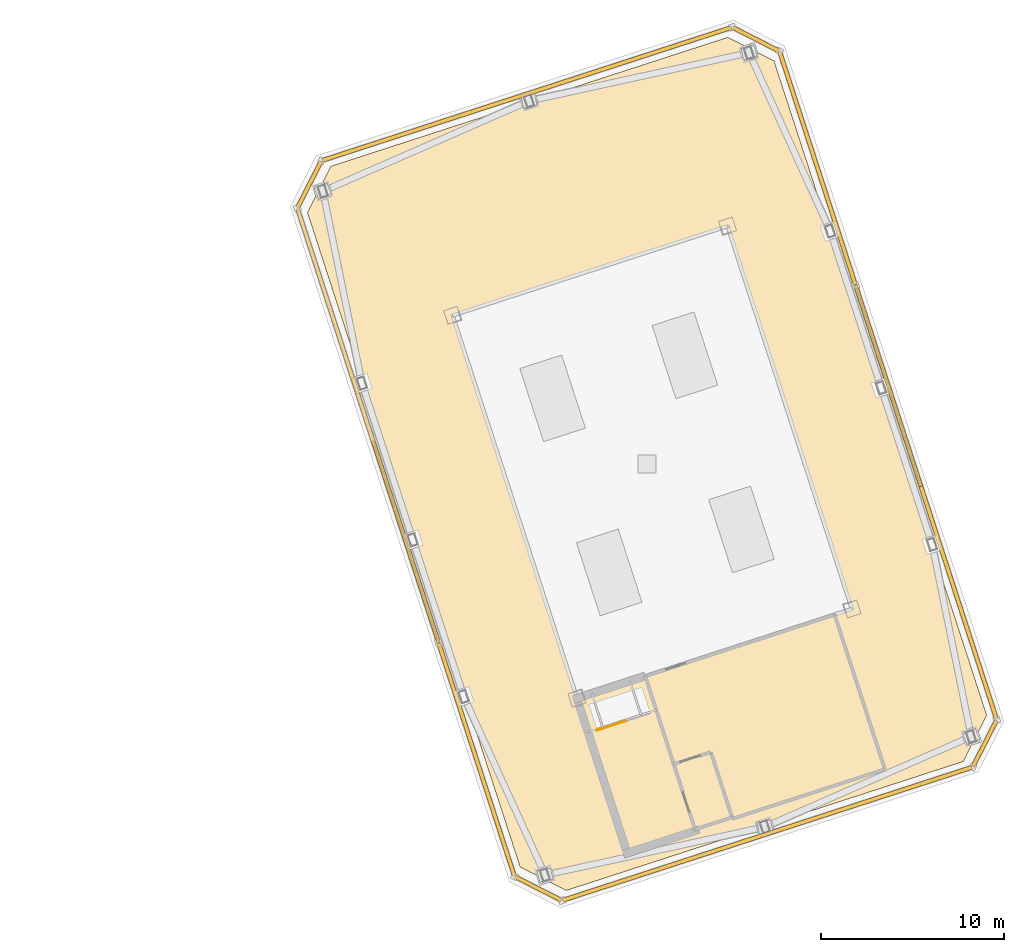
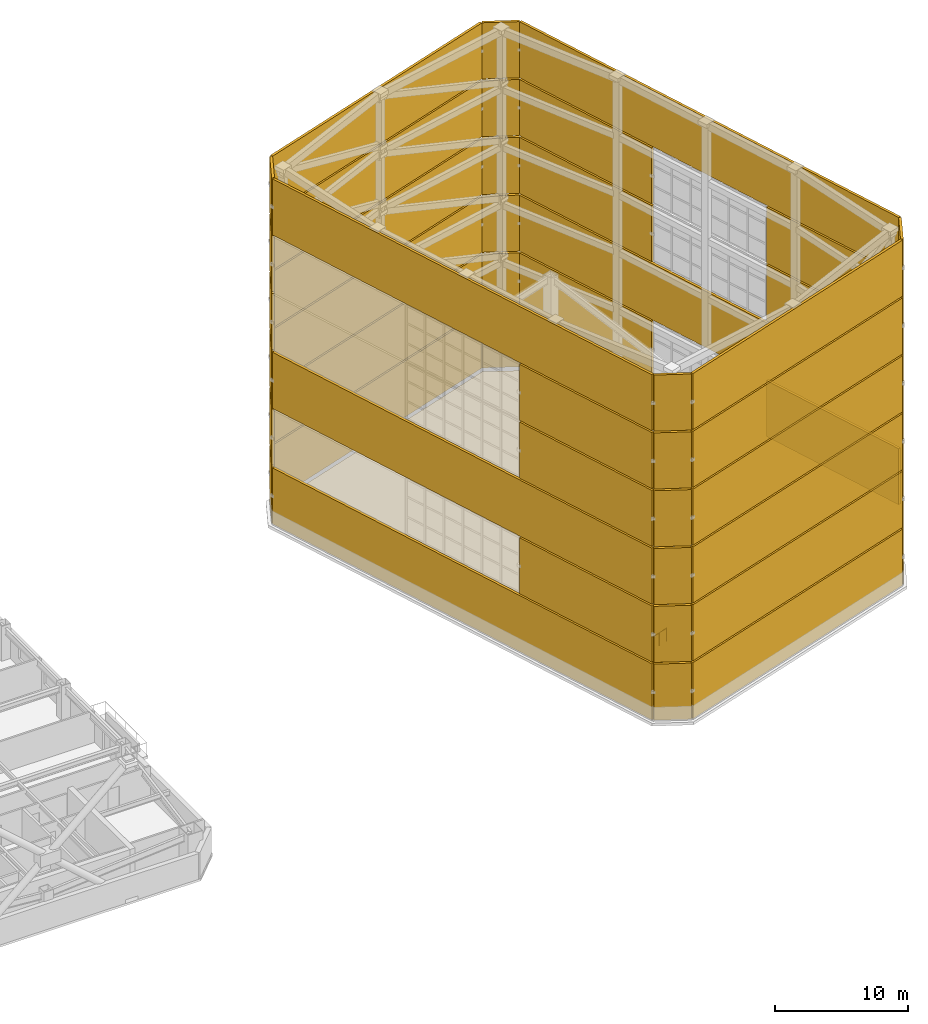
# One storey, part 56 of 56: 51 shading devices, 1 covering, 1 railing.
"""IFC4 building model written with IfcOpenShell, lengths in metres."""

from ifc_helpers import new_model, si_unit, direction, frame, origin, origin_2d, place, context, subcontext, project, spatial, polyline, rectangle, circle, outline, extrude, material, layer, layer_set, type_object, element, save


model = new_model("IFC4")

# Units and contexts
model_context = context("Model", 3, precision=1e-05, world=origin(), true_north=direction((0.0, 1.0)))
body_context = subcontext(model_context, "Body", "Model", "MODEL_VIEW")
ifc_project = project(units=[si_unit("LENGTHUNIT", "METRE"), si_unit("AREAUNIT", "SQUARE_METRE"), si_unit("VOLUMEUNIT", "CUBIC_METRE"), si_unit("PLANEANGLEUNIT", "RADIAN"), si_unit("MASSUNIT", "GRAM", prefix="KILO")], contexts=[model_context])

# Site, building, storey
site_placement = place(None, origin())
site = spatial("IfcSite", under=ifc_project, at=site_placement, CompositionType="ELEMENT")
building_placement = place(site_placement, origin())
building = spatial("IfcBuilding", under=site, at=building_placement, Name="Qiaolan Cultural Towers", CompositionType="ELEMENT")
storey_placement = place(building_placement, frame((0.0, 0.0, 250.39990234375)))
storey = spatial("IfcBuildingStorey", under=building, at=storey_placement, Name="L68", CompositionType="ELEMENT", Elevation=250.39990234375)

# Covering
ifc_material_1 = material(Name="TPO Waterproofing & Extruded Polystyrene Inverted Roof System", Category="bitumen")
ifc_layer_1 = layer(ifc_material_1, 0.080078125)
ifc_layer_set_1 = layer_set([ifc_layer_1], Name="TPO Waterproofing & Extruded Polystyrene Inverted Roof System")
covering_type = type_object("IfcCoveringType", Name="COV-ROOF-MEMB", PredefinedType="ROOFING", material=ifc_layer_set_1)
covering_placement = place(storey_placement, origin())
element("IfcCovering", 1, at=covering_placement, inside=storey, type_object=covering_type, Name="T2 Tower Main Roof Waterproofing Membrane", PredefinedType="ROOFING", context=body_context, shape_type="SweptSolid", body=[
    extrude(outline(polyline([(85.58544921875, 10.6953125), (107.26953125, 17.74072265625), (108.5537109375, 20.260986328125), (96.9345703125, 56.020751953125), (94.41455078125, 57.3046875), (72.73046875, 50.25927734375), (71.4462890625, 47.739013671875), (83.0654296875, 11.979248046875), (85.58544921875, 10.6953125)])), origin(), (0.0, 0.0, 1.0), 0.080078125),
])

# Railing
ifc_material_2 = material(Name="Galvanized Painted Steel Stair Guardrail", Category="steel")
railing_type = type_object("IfcRailingType", Name="RL-STAIR-GRD", PredefinedType="GUARDRAIL", material=ifc_material_2)
railing_placement = place(storey_placement, frame((87.2646484375, 19.442138671875, 0.0)))
element("IfcRailing", 2, at=railing_placement, inside=storey, type_object=railing_type, Name="L68 ST-E1 top well guard 1", PredefinedType="GUARDRAIL", context=body_context, shape_type="SweptSolid", body=[
    extrude(circle(Radius=0.02392578125, at=origin_2d()), frame((0.0, 0.0, 1.17578125), z_axis=(0.95105266372, 0.309028851132, 0.0), x_axis=(-0.309028851132, 0.95105266372, 0.0)), (0.0, 0.0, 1.0), 1.64013671875),
    extrude(circle(Radius=0.02099609375, at=origin_2d()), origin(), (0.0, 0.0, 1.0), 1.15185546875),
    extrude(circle(Radius=0.02099609375, at=origin_2d()), frame((0.77978515625, 0.25341796875, 0.0)), (0.0, 0.0, 1.0), 1.15185546875),
    extrude(circle(Radius=0.02099609375, at=origin_2d()), frame((1.559814453125, 0.5068359375, 0.0)), (0.0, 0.0, 1.0), 1.15185546875),
])

# Shading devices
ifc_material_3 = material(Name="Fluorocarbon Coated Aluminium Acoustic Storm Louvre", Category="aluminium")
ifc_layer_2 = layer(ifc_material_3, 0.179931640625)
ifc_layer_set_2 = layer_set([ifc_layer_2], Name="Fluorocarbon Coated Aluminium Acoustic Storm Louvre")
shading_device_type = type_object("IfcShadingDeviceType", Name="SHD-CRN-LOUVRE", PredefinedType="USERDEFINED", material=ifc_layer_set_2)
shading_device_1_placement = place(storey_placement, frame((96.566650390625, 13.7900390625, 0.080078125), z_axis=(0.0, 0.0, 1.0), x_axis=(0.951056505508, 0.309017027573, 0.0)))
element("IfcShadingDevice", 3, at=shading_device_1_placement, inside=storey, type_object=shading_device_type, Name="T2 Crown Tier 1 Acoustic Louvre Screen 1", ObjectType="LOUVRE", PredefinedType="USERDEFINED", context=body_context, shape_type="SweptSolid", body=[
    extrude(rectangle(XDim=23.52001953125, YDim=0.219970703125, at=origin_2d()), origin(), (0.0, 0.0, 1.0), 5.139892578125),
])
shading_device_2_placement = place(storey_placement, frame((108.447265625, 18.72802734375, 0.080078125), z_axis=(0.0, 0.0, 1.0), x_axis=(0.453990593046, 0.891006476647, 0.0)))
element("IfcShadingDevice", 4, at=shading_device_2_placement, inside=storey, type_object=shading_device_type, Name="T2 Crown Tier 1 Acoustic Louvre Screen 2", ObjectType="LOUVRE", PredefinedType="USERDEFINED", context=body_context, shape_type="SweptSolid", body=[
    extrude(rectangle(XDim=2.819091796875, YDim=0.219970703125, at=origin_2d()), origin(), (0.0, 0.0, 1.0), 5.139892578125),
])
shading_device_3_placement = place(storey_placement, frame((103.172119140625, 38.27978515625, 0.080078125), z_axis=(0.0, 0.0, 1.0), x_axis=(-0.309017010974, 0.951056510902, 0.0)))
element("IfcShadingDevice", 5, at=shading_device_3_placement, inside=storey, type_object=shading_device_type, Name="T2 Crown Tier 1 Acoustic Louvre Screen 3", ObjectType="LOUVRE", PredefinedType="USERDEFINED", context=body_context, shape_type="SweptSolid", body=[
    extrude(rectangle(XDim=38.320068359375, YDim=0.219970703125, at=origin_2d()), origin(), (0.0, 0.0, 1.0), 5.139892578125),
])
shading_device_4_placement = place(storey_placement, frame((95.947509765625, 57.1982421875, 0.080078125), z_axis=(0.0, 0.0, 1.0), x_axis=(-0.891006334021, 0.453990872963, 0.0)))
element("IfcShadingDevice", 6, at=shading_device_4_placement, inside=storey, type_object=shading_device_type, Name="T2 Crown Tier 1 Acoustic Louvre Screen 4", ObjectType="LOUVRE", PredefinedType="USERDEFINED", context=body_context, shape_type="SweptSolid", body=[
    extrude(rectangle(XDim=2.819091796875, YDim=0.219970703125, at=origin_2d()), origin(), (0.0, 0.0, 1.0), 5.139892578125),
])
shading_device_5_placement = place(storey_placement, frame((83.433349609375, 54.2099609375, 0.080078125), z_axis=(0.0, 0.0, 1.0), x_axis=(-0.951056505508, -0.309017027573, 0.0)))
element("IfcShadingDevice", 7, at=shading_device_5_placement, inside=storey, type_object=shading_device_type, Name="T2 Crown Tier 1 Acoustic Louvre Screen 5", ObjectType="LOUVRE", PredefinedType="USERDEFINED", context=body_context, shape_type="SweptSolid", body=[
    extrude(rectangle(XDim=23.52001953125, YDim=0.219970703125, at=origin_2d()), origin(), (0.0, 0.0, 1.0), 5.139892578125),
])
shading_device_6_placement = place(storey_placement, frame((71.552734375, 49.27197265625, 0.080078125), z_axis=(0.0, 0.0, 1.0), x_axis=(-0.453990593046, -0.891006476647, 0.0)))
element("IfcShadingDevice", 8, at=shading_device_6_placement, inside=storey, type_object=shading_device_type, Name="T2 Crown Tier 1 Acoustic Louvre Screen 6", ObjectType="LOUVRE", PredefinedType="USERDEFINED", context=body_context, shape_type="SweptSolid", body=[
    extrude(rectangle(XDim=2.819091796875, YDim=0.219970703125, at=origin_2d()), origin(), (0.0, 0.0, 1.0), 5.139892578125),
])
shading_device_7_placement = place(storey_placement, frame((76.827880859375, 29.72021484375, 0.080078125), z_axis=(0.0, 0.0, 1.0), x_axis=(0.309017010974, -0.951056510902, 0.0)))
element("IfcShadingDevice", 9, at=shading_device_7_placement, inside=storey, type_object=shading_device_type, Name="T2 Crown Tier 1 Acoustic Louvre Screen 7", ObjectType="LOUVRE", PredefinedType="USERDEFINED", context=body_context, shape_type="SweptSolid", body=[
    extrude(rectangle(XDim=38.320068359375, YDim=0.219970703125, at=origin_2d()), origin(), (0.0, 0.0, 1.0), 5.139892578125),
])
shading_device_8_placement = place(storey_placement, frame((84.052490234375, 10.8017578125, 0.080078125), z_axis=(0.0, 0.0, 1.0), x_axis=(0.891006334021, -0.453990872963, 0.0)))
element("IfcShadingDevice", 10, at=shading_device_8_placement, inside=storey, type_object=shading_device_type, Name="T2 Crown Tier 1 Acoustic Louvre Screen 8", ObjectType="LOUVRE", PredefinedType="USERDEFINED", context=body_context, shape_type="SweptSolid", body=[
    extrude(rectangle(XDim=2.819091796875, YDim=0.219970703125, at=origin_2d()), origin(), (0.0, 0.0, 1.0), 5.139892578125),
])
shading_device_9_placement = place(storey_placement, frame((96.566650390625, 13.7900390625, 5.38037109375), z_axis=(0.0, 0.0, 1.0), x_axis=(0.951056505508, 0.309017027573, 0.0)))
element("IfcShadingDevice", 11, at=shading_device_9_placement, inside=storey, type_object=shading_device_type, Name="T2 Crown Tier 2 Acoustic Louvre Screen 1", ObjectType="LOUVRE", PredefinedType="USERDEFINED", context=body_context, shape_type="SweptSolid", body=[
    extrude(rectangle(XDim=23.52001953125, YDim=0.219970703125, at=origin_2d()), origin(), (0.0, 0.0, 1.0), 5.139892578125),
])
shading_device_10_placement = place(storey_placement, frame((108.447265625, 18.72802734375, 5.38037109375), z_axis=(0.0, 0.0, 1.0), x_axis=(0.453990593046, 0.891006476647, 0.0)))
element("IfcShadingDevice", 12, at=shading_device_10_placement, inside=storey, type_object=shading_device_type, Name="T2 Crown Tier 2 Acoustic Louvre Screen 2", ObjectType="LOUVRE", PredefinedType="USERDEFINED", context=body_context, shape_type="SweptSolid", body=[
    extrude(rectangle(XDim=2.819091796875, YDim=0.219970703125, at=origin_2d()), origin(), (0.0, 0.0, 1.0), 5.139892578125),
])
for number, where, z_axis, x_axis, name in (
    (13, (107.028564453125, 26.41064453125, 5.38037109375), (0.0, 0.0, 1.0), (-0.309017010974, 0.951056510902, 0.0), "T2 Crown Tier 2 Acoustic Louvre Flank 3L"),
    (14, (99.315673828125, 50.149169921875, 5.38037109375), (0.0, 0.0, 1.0), (-0.309017010974, 0.951056510902, 0.0), "T2 Crown Tier 2 Acoustic Louvre Flank 3R"),
):
    element("IfcShadingDevice", number, at=place(storey_placement, frame(where, z_axis=z_axis, x_axis=x_axis)), inside=storey, type_object=shading_device_type, Name=name, ObjectType="LOUVRE", PredefinedType="USERDEFINED", context=body_context, shape_type="SweptSolid", body=[
        extrude(rectangle(XDim=13.3798828125, YDim=0.219970703125, at=origin_2d()), origin(), (0.0, 0.0, 1.0), 5.139892578125),
    ])
shading_device_11_placement = place(storey_placement, frame((95.947509765625, 57.1982421875, 5.38037109375), z_axis=(0.0, 0.0, 1.0), x_axis=(-0.891006334021, 0.453990872963, 0.0)))
element("IfcShadingDevice", 15, at=shading_device_11_placement, inside=storey, type_object=shading_device_type, Name="T2 Crown Tier 2 Acoustic Louvre Screen 4", ObjectType="LOUVRE", PredefinedType="USERDEFINED", context=body_context, shape_type="SweptSolid", body=[
    extrude(rectangle(XDim=2.819091796875, YDim=0.219970703125, at=origin_2d()), origin(), (0.0, 0.0, 1.0), 5.139892578125),
])
shading_device_12_placement = place(storey_placement, frame((83.433349609375, 54.2099609375, 5.38037109375), z_axis=(0.0, 0.0, 1.0), x_axis=(-0.951056505508, -0.309017027573, 0.0)))
element("IfcShadingDevice", 16, at=shading_device_12_placement, inside=storey, type_object=shading_device_type, Name="T2 Crown Tier 2 Acoustic Louvre Screen 5", ObjectType="LOUVRE", PredefinedType="USERDEFINED", context=body_context, shape_type="SweptSolid", body=[
    extrude(rectangle(XDim=23.52001953125, YDim=0.219970703125, at=origin_2d()), origin(), (0.0, 0.0, 1.0), 5.139892578125),
])
shading_device_13_placement = place(storey_placement, frame((71.552734375, 49.27197265625, 5.38037109375), z_axis=(0.0, 0.0, 1.0), x_axis=(-0.453990593046, -0.891006476647, 0.0)))
element("IfcShadingDevice", 17, at=shading_device_13_placement, inside=storey, type_object=shading_device_type, Name="T2 Crown Tier 2 Acoustic Louvre Screen 6", ObjectType="LOUVRE", PredefinedType="USERDEFINED", context=body_context, shape_type="SweptSolid", body=[
    extrude(rectangle(XDim=2.819091796875, YDim=0.219970703125, at=origin_2d()), origin(), (0.0, 0.0, 1.0), 5.139892578125),
])
shading_device_14_placement = place(storey_placement, frame((80.684326171875, 17.850830078125, 5.38037109375), z_axis=(0.0, 0.0, 1.0), x_axis=(0.309017010974, -0.951056510902, 0.0)))
element("IfcShadingDevice", 18, at=shading_device_14_placement, inside=storey, type_object=shading_device_type, Name="T2 Crown Tier 2 Acoustic Louvre Flank 7R", ObjectType="LOUVRE", PredefinedType="USERDEFINED", context=body_context, shape_type="SweptSolid", body=[
    extrude(rectangle(XDim=13.3798828125, YDim=0.219970703125, at=origin_2d()), origin(), (0.0, 0.0, 1.0), 5.139892578125),
])
shading_device_15_placement = place(storey_placement, frame((84.052490234375, 10.8017578125, 5.38037109375), z_axis=(0.0, 0.0, 1.0), x_axis=(0.891006334021, -0.453990872963, 0.0)))
element("IfcShadingDevice", 19, at=shading_device_15_placement, inside=storey, type_object=shading_device_type, Name="T2 Crown Tier 2 Acoustic Louvre Screen 8", ObjectType="LOUVRE", PredefinedType="USERDEFINED", context=body_context, shape_type="SweptSolid", body=[
    extrude(rectangle(XDim=2.819091796875, YDim=0.219970703125, at=origin_2d()), origin(), (0.0, 0.0, 1.0), 5.139892578125),
])
shading_device_16_placement = place(storey_placement, frame((96.566650390625, 13.7900390625, 10.68017578125), z_axis=(0.0, 0.0, 1.0), x_axis=(0.951056505508, 0.309017027573, 0.0)))
element("IfcShadingDevice", 20, at=shading_device_16_placement, inside=storey, type_object=shading_device_type, Name="T2 Crown Tier 3 Acoustic Louvre Screen 1", ObjectType="LOUVRE", PredefinedType="USERDEFINED", context=body_context, shape_type="SweptSolid", body=[
    extrude(rectangle(XDim=23.52001953125, YDim=0.219970703125, at=origin_2d()), origin(), (0.0, 0.0, 1.0), 5.139892578125),
])
shading_device_17_placement = place(storey_placement, frame((108.447265625, 18.72802734375, 10.68017578125), z_axis=(0.0, 0.0, 1.0), x_axis=(0.453990593046, 0.891006476647, 0.0)))
element("IfcShadingDevice", 21, at=shading_device_17_placement, inside=storey, type_object=shading_device_type, Name="T2 Crown Tier 3 Acoustic Louvre Screen 2", ObjectType="LOUVRE", PredefinedType="USERDEFINED", context=body_context, shape_type="SweptSolid", body=[
    extrude(rectangle(XDim=2.819091796875, YDim=0.219970703125, at=origin_2d()), origin(), (0.0, 0.0, 1.0), 5.139892578125),
])
shading_device_18_placement = place(storey_placement, frame((103.172119140625, 38.27978515625, 10.68017578125), z_axis=(0.0, 0.0, 1.0), x_axis=(-0.309017010974, 0.951056510902, 0.0)))
element("IfcShadingDevice", 22, at=shading_device_18_placement, inside=storey, type_object=shading_device_type, Name="T2 Crown Tier 3 Acoustic Louvre Screen 3", ObjectType="LOUVRE", PredefinedType="USERDEFINED", context=body_context, shape_type="SweptSolid", body=[
    extrude(rectangle(XDim=38.320068359375, YDim=0.219970703125, at=origin_2d()), origin(), (0.0, 0.0, 1.0), 5.139892578125),
])
shading_device_19_placement = place(storey_placement, frame((95.947509765625, 57.1982421875, 10.68017578125), z_axis=(0.0, 0.0, 1.0), x_axis=(-0.891006334021, 0.453990872963, 0.0)))
element("IfcShadingDevice", 23, at=shading_device_19_placement, inside=storey, type_object=shading_device_type, Name="T2 Crown Tier 3 Acoustic Louvre Screen 4", ObjectType="LOUVRE", PredefinedType="USERDEFINED", context=body_context, shape_type="SweptSolid", body=[
    extrude(rectangle(XDim=2.819091796875, YDim=0.219970703125, at=origin_2d()), origin(), (0.0, 0.0, 1.0), 5.139892578125),
])
shading_device_20_placement = place(storey_placement, frame((83.433349609375, 54.2099609375, 10.68017578125), z_axis=(0.0, 0.0, 1.0), x_axis=(-0.951056505508, -0.309017027573, 0.0)))
element("IfcShadingDevice", 24, at=shading_device_20_placement, inside=storey, type_object=shading_device_type, Name="T2 Crown Tier 3 Acoustic Louvre Screen 5", ObjectType="LOUVRE", PredefinedType="USERDEFINED", context=body_context, shape_type="SweptSolid", body=[
    extrude(rectangle(XDim=23.52001953125, YDim=0.219970703125, at=origin_2d()), origin(), (0.0, 0.0, 1.0), 5.139892578125),
])
shading_device_21_placement = place(storey_placement, frame((71.552734375, 49.27197265625, 10.68017578125), z_axis=(0.0, 0.0, 1.0), x_axis=(-0.453990593046, -0.891006476647, 0.0)))
element("IfcShadingDevice", 25, at=shading_device_21_placement, inside=storey, type_object=shading_device_type, Name="T2 Crown Tier 3 Acoustic Louvre Screen 6", ObjectType="LOUVRE", PredefinedType="USERDEFINED", context=body_context, shape_type="SweptSolid", body=[
    extrude(rectangle(XDim=2.819091796875, YDim=0.219970703125, at=origin_2d()), origin(), (0.0, 0.0, 1.0), 5.139892578125),
])
shading_device_22_placement = place(storey_placement, frame((76.827880859375, 29.72021484375, 10.68017578125), z_axis=(0.0, 0.0, 1.0), x_axis=(0.309017010974, -0.951056510902, 0.0)))
element("IfcShadingDevice", 26, at=shading_device_22_placement, inside=storey, type_object=shading_device_type, Name="T2 Crown Tier 3 Acoustic Louvre Screen 7", ObjectType="LOUVRE", PredefinedType="USERDEFINED", context=body_context, shape_type="SweptSolid", body=[
    extrude(rectangle(XDim=38.320068359375, YDim=0.219970703125, at=origin_2d()), origin(), (0.0, 0.0, 1.0), 5.139892578125),
])
shading_device_23_placement = place(storey_placement, frame((84.052490234375, 10.8017578125, 10.68017578125), z_axis=(0.0, 0.0, 1.0), x_axis=(0.891006334021, -0.453990872963, 0.0)))
element("IfcShadingDevice", 27, at=shading_device_23_placement, inside=storey, type_object=shading_device_type, Name="T2 Crown Tier 3 Acoustic Louvre Screen 8", ObjectType="LOUVRE", PredefinedType="USERDEFINED", context=body_context, shape_type="SweptSolid", body=[
    extrude(rectangle(XDim=2.819091796875, YDim=0.219970703125, at=origin_2d()), origin(), (0.0, 0.0, 1.0), 5.139892578125),
])
shading_device_24_placement = place(storey_placement, frame((96.566650390625, 13.7900390625, 15.97998046875), z_axis=(0.0, 0.0, 1.0), x_axis=(0.951056505508, 0.309017027573, 0.0)))
element("IfcShadingDevice", 28, at=shading_device_24_placement, inside=storey, type_object=shading_device_type, Name="T2 Crown Tier 4 Acoustic Louvre Screen 1", ObjectType="LOUVRE", PredefinedType="USERDEFINED", context=body_context, shape_type="SweptSolid", body=[
    extrude(rectangle(XDim=23.52001953125, YDim=0.219970703125, at=origin_2d()), origin(), (0.0, 0.0, 1.0), 5.139892578125),
])
shading_device_25_placement = place(storey_placement, frame((108.447265625, 18.72802734375, 15.97998046875), z_axis=(0.0, 0.0, 1.0), x_axis=(0.453990593046, 0.891006476647, 0.0)))
element("IfcShadingDevice", 29, at=shading_device_25_placement, inside=storey, type_object=shading_device_type, Name="T2 Crown Tier 4 Acoustic Louvre Screen 2", ObjectType="LOUVRE", PredefinedType="USERDEFINED", context=body_context, shape_type="SweptSolid", body=[
    extrude(rectangle(XDim=2.819091796875, YDim=0.219970703125, at=origin_2d()), origin(), (0.0, 0.0, 1.0), 5.139892578125),
])
for number, where, z_axis, x_axis, name in (
    (30, (107.028564453125, 26.41064453125, 15.97998046875), (0.0, 0.0, 1.0), (-0.309017010974, 0.951056510902, 0.0), "T2 Crown Tier 4 Acoustic Louvre Flank 3L"),
    (31, (99.315673828125, 50.149169921875, 15.97998046875), (0.0, 0.0, 1.0), (-0.309017010974, 0.951056510902, 0.0), "T2 Crown Tier 4 Acoustic Louvre Flank 3R"),
):
    element("IfcShadingDevice", number, at=place(storey_placement, frame(where, z_axis=z_axis, x_axis=x_axis)), inside=storey, type_object=shading_device_type, Name=name, ObjectType="LOUVRE", PredefinedType="USERDEFINED", context=body_context, shape_type="SweptSolid", body=[
        extrude(rectangle(XDim=13.3798828125, YDim=0.219970703125, at=origin_2d()), origin(), (0.0, 0.0, 1.0), 5.139892578125),
    ])
shading_device_26_placement = place(storey_placement, frame((95.947509765625, 57.1982421875, 15.97998046875), z_axis=(0.0, 0.0, 1.0), x_axis=(-0.891006334021, 0.453990872963, 0.0)))
element("IfcShadingDevice", 32, at=shading_device_26_placement, inside=storey, type_object=shading_device_type, Name="T2 Crown Tier 4 Acoustic Louvre Screen 4", ObjectType="LOUVRE", PredefinedType="USERDEFINED", context=body_context, shape_type="SweptSolid", body=[
    extrude(rectangle(XDim=2.819091796875, YDim=0.219970703125, at=origin_2d()), origin(), (0.0, 0.0, 1.0), 5.139892578125),
])
shading_device_27_placement = place(storey_placement, frame((83.433349609375, 54.2099609375, 15.97998046875), z_axis=(0.0, 0.0, 1.0), x_axis=(-0.951056505508, -0.309017027573, 0.0)))
element("IfcShadingDevice", 33, at=shading_device_27_placement, inside=storey, type_object=shading_device_type, Name="T2 Crown Tier 4 Acoustic Louvre Screen 5", ObjectType="LOUVRE", PredefinedType="USERDEFINED", context=body_context, shape_type="SweptSolid", body=[
    extrude(rectangle(XDim=23.52001953125, YDim=0.219970703125, at=origin_2d()), origin(), (0.0, 0.0, 1.0), 5.139892578125),
])
shading_device_28_placement = place(storey_placement, frame((71.552734375, 49.27197265625, 15.97998046875), z_axis=(0.0, 0.0, 1.0), x_axis=(-0.453990593046, -0.891006476647, 0.0)))
element("IfcShadingDevice", 34, at=shading_device_28_placement, inside=storey, type_object=shading_device_type, Name="T2 Crown Tier 4 Acoustic Louvre Screen 6", ObjectType="LOUVRE", PredefinedType="USERDEFINED", context=body_context, shape_type="SweptSolid", body=[
    extrude(rectangle(XDim=2.819091796875, YDim=0.219970703125, at=origin_2d()), origin(), (0.0, 0.0, 1.0), 5.139892578125),
])
shading_device_29_placement = place(storey_placement, frame((80.684326171875, 17.850830078125, 15.97998046875), z_axis=(0.0, 0.0, 1.0), x_axis=(0.309017010974, -0.951056510902, 0.0)))
element("IfcShadingDevice", 35, at=shading_device_29_placement, inside=storey, type_object=shading_device_type, Name="T2 Crown Tier 4 Acoustic Louvre Flank 7R", ObjectType="LOUVRE", PredefinedType="USERDEFINED", context=body_context, shape_type="SweptSolid", body=[
    extrude(rectangle(XDim=13.3798828125, YDim=0.219970703125, at=origin_2d()), origin(), (0.0, 0.0, 1.0), 5.139892578125),
])
shading_device_30_placement = place(storey_placement, frame((84.052490234375, 10.8017578125, 15.97998046875), z_axis=(0.0, 0.0, 1.0), x_axis=(0.891006334021, -0.453990872963, 0.0)))
element("IfcShadingDevice", 36, at=shading_device_30_placement, inside=storey, type_object=shading_device_type, Name="T2 Crown Tier 4 Acoustic Louvre Screen 8", ObjectType="LOUVRE", PredefinedType="USERDEFINED", context=body_context, shape_type="SweptSolid", body=[
    extrude(rectangle(XDim=2.819091796875, YDim=0.219970703125, at=origin_2d()), origin(), (0.0, 0.0, 1.0), 5.139892578125),
])
shading_device_31_placement = place(storey_placement, frame((96.566650390625, 13.7900390625, 21.2802734375), z_axis=(0.0, 0.0, 1.0), x_axis=(0.951056505508, 0.309017027573, 0.0)))
element("IfcShadingDevice", 37, at=shading_device_31_placement, inside=storey, type_object=shading_device_type, Name="T2 Crown Tier 5 Acoustic Louvre Screen 1", ObjectType="LOUVRE", PredefinedType="USERDEFINED", context=body_context, shape_type="SweptSolid", body=[
    extrude(rectangle(XDim=23.52001953125, YDim=0.219970703125, at=origin_2d()), origin(), (0.0, 0.0, 1.0), 5.139892578125),
])
shading_device_32_placement = place(storey_placement, frame((108.447265625, 18.72802734375, 21.2802734375), z_axis=(0.0, 0.0, 1.0), x_axis=(0.453990593046, 0.891006476647, 0.0)))
element("IfcShadingDevice", 38, at=shading_device_32_placement, inside=storey, type_object=shading_device_type, Name="T2 Crown Tier 5 Acoustic Louvre Screen 2", ObjectType="LOUVRE", PredefinedType="USERDEFINED", context=body_context, shape_type="SweptSolid", body=[
    extrude(rectangle(XDim=2.819091796875, YDim=0.219970703125, at=origin_2d()), origin(), (0.0, 0.0, 1.0), 5.139892578125),
])
for number, where, z_axis, x_axis, name in (
    (39, (107.028564453125, 26.41064453125, 21.2802734375), (0.0, 0.0, 1.0), (-0.309017010974, 0.951056510902, 0.0), "T2 Crown Tier 5 Acoustic Louvre Flank 3L"),
    (40, (99.315673828125, 50.149169921875, 21.2802734375), (0.0, 0.0, 1.0), (-0.309017010974, 0.951056510902, 0.0), "T2 Crown Tier 5 Acoustic Louvre Flank 3R"),
):
    element("IfcShadingDevice", number, at=place(storey_placement, frame(where, z_axis=z_axis, x_axis=x_axis)), inside=storey, type_object=shading_device_type, Name=name, ObjectType="LOUVRE", PredefinedType="USERDEFINED", context=body_context, shape_type="SweptSolid", body=[
        extrude(rectangle(XDim=13.3798828125, YDim=0.219970703125, at=origin_2d()), origin(), (0.0, 0.0, 1.0), 5.139892578125),
    ])
shading_device_33_placement = place(storey_placement, frame((95.947509765625, 57.1982421875, 21.2802734375), z_axis=(0.0, 0.0, 1.0), x_axis=(-0.891006334021, 0.453990872963, 0.0)))
element("IfcShadingDevice", 41, at=shading_device_33_placement, inside=storey, type_object=shading_device_type, Name="T2 Crown Tier 5 Acoustic Louvre Screen 4", ObjectType="LOUVRE", PredefinedType="USERDEFINED", context=body_context, shape_type="SweptSolid", body=[
    extrude(rectangle(XDim=2.819091796875, YDim=0.219970703125, at=origin_2d()), origin(), (0.0, 0.0, 1.0), 5.139892578125),
])
shading_device_34_placement = place(storey_placement, frame((83.433349609375, 54.2099609375, 21.2802734375), z_axis=(0.0, 0.0, 1.0), x_axis=(-0.951056505508, -0.309017027573, 0.0)))
element("IfcShadingDevice", 42, at=shading_device_34_placement, inside=storey, type_object=shading_device_type, Name="T2 Crown Tier 5 Acoustic Louvre Screen 5", ObjectType="LOUVRE", PredefinedType="USERDEFINED", context=body_context, shape_type="SweptSolid", body=[
    extrude(rectangle(XDim=23.52001953125, YDim=0.219970703125, at=origin_2d()), origin(), (0.0, 0.0, 1.0), 5.139892578125),
])
shading_device_35_placement = place(storey_placement, frame((71.552734375, 49.27197265625, 21.2802734375), z_axis=(0.0, 0.0, 1.0), x_axis=(-0.453990593046, -0.891006476647, 0.0)))
element("IfcShadingDevice", 43, at=shading_device_35_placement, inside=storey, type_object=shading_device_type, Name="T2 Crown Tier 5 Acoustic Louvre Screen 6", ObjectType="LOUVRE", PredefinedType="USERDEFINED", context=body_context, shape_type="SweptSolid", body=[
    extrude(rectangle(XDim=2.819091796875, YDim=0.219970703125, at=origin_2d()), origin(), (0.0, 0.0, 1.0), 5.139892578125),
])
shading_device_36_placement = place(storey_placement, frame((80.684326171875, 17.850830078125, 21.2802734375), z_axis=(0.0, 0.0, 1.0), x_axis=(0.309017010974, -0.951056510902, 0.0)))
element("IfcShadingDevice", 44, at=shading_device_36_placement, inside=storey, type_object=shading_device_type, Name="T2 Crown Tier 5 Acoustic Louvre Flank 7R", ObjectType="LOUVRE", PredefinedType="USERDEFINED", context=body_context, shape_type="SweptSolid", body=[
    extrude(rectangle(XDim=13.3798828125, YDim=0.219970703125, at=origin_2d()), origin(), (0.0, 0.0, 1.0), 5.139892578125),
])
shading_device_37_placement = place(storey_placement, frame((84.052490234375, 10.8017578125, 21.2802734375), z_axis=(0.0, 0.0, 1.0), x_axis=(0.891006334021, -0.453990872963, 0.0)))
element("IfcShadingDevice", 45, at=shading_device_37_placement, inside=storey, type_object=shading_device_type, Name="T2 Crown Tier 5 Acoustic Louvre Screen 8", ObjectType="LOUVRE", PredefinedType="USERDEFINED", context=body_context, shape_type="SweptSolid", body=[
    extrude(rectangle(XDim=2.819091796875, YDim=0.219970703125, at=origin_2d()), origin(), (0.0, 0.0, 1.0), 5.139892578125),
])
shading_device_38_placement = place(storey_placement, frame((96.566650390625, 13.7900390625, 26.580078125), z_axis=(0.0, 0.0, 1.0), x_axis=(0.951056505508, 0.309017027573, 0.0)))
element("IfcShadingDevice", 46, at=shading_device_38_placement, inside=storey, type_object=shading_device_type, Name="T2 Crown Tier 6 Acoustic Louvre Screen 1", ObjectType="LOUVRE", PredefinedType="USERDEFINED", context=body_context, shape_type="SweptSolid", body=[
    extrude(rectangle(XDim=23.52001953125, YDim=0.219970703125, at=origin_2d()), origin(), (0.0, 0.0, 1.0), 5.139892578125),
])
shading_device_39_placement = place(storey_placement, frame((108.447265625, 18.72802734375, 26.580078125), z_axis=(0.0, 0.0, 1.0), x_axis=(0.453990593046, 0.891006476647, 0.0)))
element("IfcShadingDevice", 47, at=shading_device_39_placement, inside=storey, type_object=shading_device_type, Name="T2 Crown Tier 6 Acoustic Louvre Screen 2", ObjectType="LOUVRE", PredefinedType="USERDEFINED", context=body_context, shape_type="SweptSolid", body=[
    extrude(rectangle(XDim=2.819091796875, YDim=0.219970703125, at=origin_2d()), origin(), (0.0, 0.0, 1.0), 5.139892578125),
])
shading_device_40_placement = place(storey_placement, frame((103.172119140625, 38.27978515625, 26.580078125), z_axis=(0.0, 0.0, 1.0), x_axis=(-0.309017010974, 0.951056510902, 0.0)))
element("IfcShadingDevice", 48, at=shading_device_40_placement, inside=storey, type_object=shading_device_type, Name="T2 Crown Tier 6 Acoustic Louvre Screen 3", ObjectType="LOUVRE", PredefinedType="USERDEFINED", context=body_context, shape_type="SweptSolid", body=[
    extrude(rectangle(XDim=38.320068359375, YDim=0.219970703125, at=origin_2d()), origin(), (0.0, 0.0, 1.0), 5.139892578125),
])
shading_device_41_placement = place(storey_placement, frame((95.947509765625, 57.1982421875, 26.580078125), z_axis=(0.0, 0.0, 1.0), x_axis=(-0.891006334021, 0.453990872963, 0.0)))
element("IfcShadingDevice", 49, at=shading_device_41_placement, inside=storey, type_object=shading_device_type, Name="T2 Crown Tier 6 Acoustic Louvre Screen 4", ObjectType="LOUVRE", PredefinedType="USERDEFINED", context=body_context, shape_type="SweptSolid", body=[
    extrude(rectangle(XDim=2.819091796875, YDim=0.219970703125, at=origin_2d()), origin(), (0.0, 0.0, 1.0), 5.139892578125),
])
shading_device_42_placement = place(storey_placement, frame((83.433349609375, 54.2099609375, 26.580078125), z_axis=(0.0, 0.0, 1.0), x_axis=(-0.951056505508, -0.309017027573, 0.0)))
element("IfcShadingDevice", 50, at=shading_device_42_placement, inside=storey, type_object=shading_device_type, Name="T2 Crown Tier 6 Acoustic Louvre Screen 5", ObjectType="LOUVRE", PredefinedType="USERDEFINED", context=body_context, shape_type="SweptSolid", body=[
    extrude(rectangle(XDim=23.52001953125, YDim=0.219970703125, at=origin_2d()), origin(), (0.0, 0.0, 1.0), 5.139892578125),
])
shading_device_43_placement = place(storey_placement, frame((71.552734375, 49.27197265625, 26.580078125), z_axis=(0.0, 0.0, 1.0), x_axis=(-0.453990593046, -0.891006476647, 0.0)))
element("IfcShadingDevice", 51, at=shading_device_43_placement, inside=storey, type_object=shading_device_type, Name="T2 Crown Tier 6 Acoustic Louvre Screen 6", ObjectType="LOUVRE", PredefinedType="USERDEFINED", context=body_context, shape_type="SweptSolid", body=[
    extrude(rectangle(XDim=2.819091796875, YDim=0.219970703125, at=origin_2d()), origin(), (0.0, 0.0, 1.0), 5.139892578125),
])
shading_device_44_placement = place(storey_placement, frame((76.827880859375, 29.72021484375, 26.580078125), z_axis=(0.0, 0.0, 1.0), x_axis=(0.309017010974, -0.951056510902, 0.0)))
element("IfcShadingDevice", 52, at=shading_device_44_placement, inside=storey, type_object=shading_device_type, Name="T2 Crown Tier 6 Acoustic Louvre Screen 7", ObjectType="LOUVRE", PredefinedType="USERDEFINED", context=body_context, shape_type="SweptSolid", body=[
    extrude(rectangle(XDim=38.320068359375, YDim=0.219970703125, at=origin_2d()), origin(), (0.0, 0.0, 1.0), 5.139892578125),
])
shading_device_45_placement = place(storey_placement, frame((84.052490234375, 10.8017578125, 26.580078125), z_axis=(0.0, 0.0, 1.0), x_axis=(0.891006334021, -0.453990872963, 0.0)))
element("IfcShadingDevice", 53, at=shading_device_45_placement, inside=storey, type_object=shading_device_type, Name="T2 Crown Tier 6 Acoustic Louvre Screen 8", ObjectType="LOUVRE", PredefinedType="USERDEFINED", context=body_context, shape_type="SweptSolid", body=[
    extrude(rectangle(XDim=2.819091796875, YDim=0.219970703125, at=origin_2d()), origin(), (0.0, 0.0, 1.0), 5.139892578125),
])

save(model, "model.ifc")
